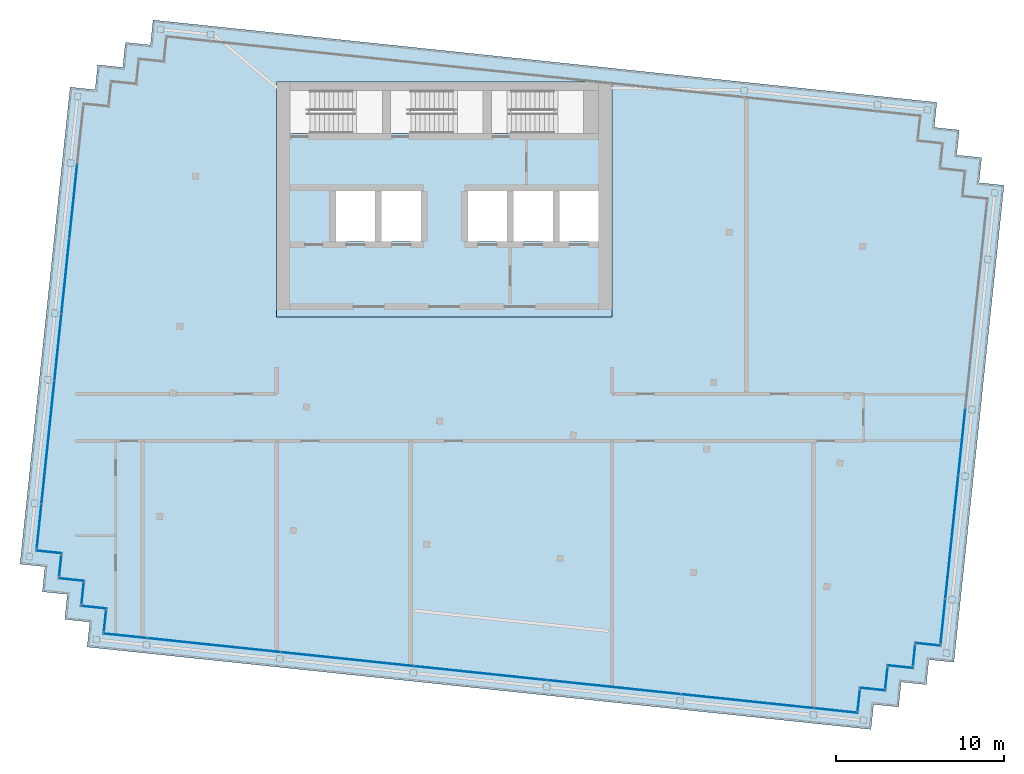
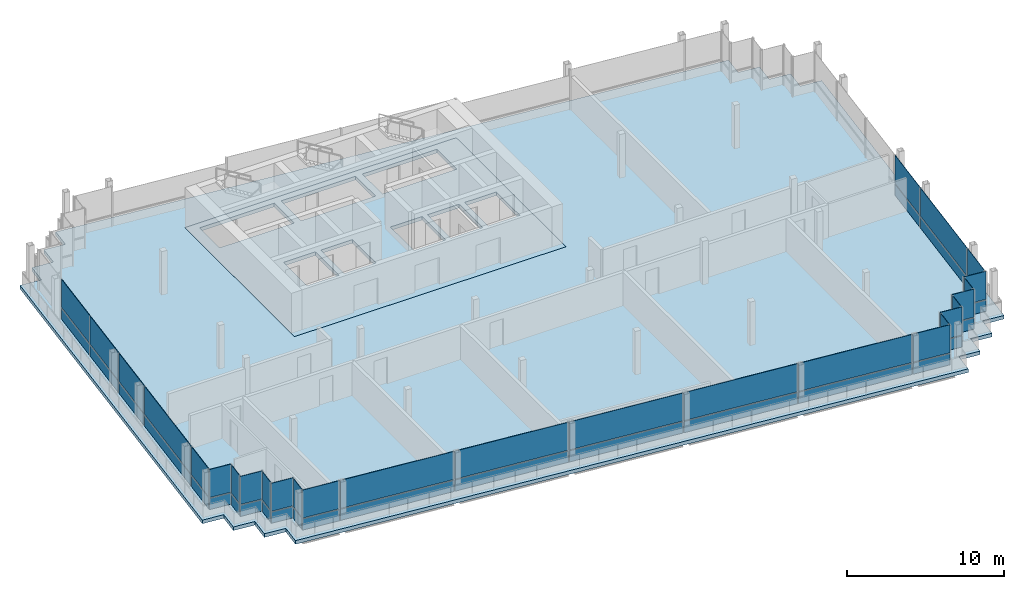
# One storey, part 9 of 15: 54 plates, 2 slabs, 15 elements without a shape of their own.
"""IFC4 building model written with IfcOpenShell, lengths in metres."""

from ifc_helpers import new_model, si_unit, direction, frame, origin, origin_2d, place, context, subcontext, project, spatial, polyline, rectangle, outline, extrude, material, layer, layer_set, type_object, element, aggregate, save


model = new_model("IFC4")

# Units and contexts
model_context = context("Model", 3, precision=1e-05, world=origin(), true_north=direction((0.0, 1.0)))
body_context = subcontext(model_context, "Body", "Model", "MODEL_VIEW")
ifc_project = project(units=[si_unit("LENGTHUNIT", "METRE"), si_unit("AREAUNIT", "SQUARE_METRE"), si_unit("VOLUMEUNIT", "CUBIC_METRE"), si_unit("PLANEANGLEUNIT", "RADIAN"), si_unit("MASSUNIT", "GRAM", prefix="KILO")], contexts=[model_context])

# Site, building, storey
site_placement = place(None, origin())
site = spatial("IfcSite", under=ifc_project, at=site_placement, CompositionType="ELEMENT")
building_placement = place(site_placement, origin())
building = spatial("IfcBuilding", under=site, at=building_placement, Name="Vidyagriha Tower", CompositionType="ELEMENT")
storey_placement = place(building_placement, frame((0.0, 0.0, 294.89990234375)))
storey = spatial("IfcBuildingStorey", under=building, at=storey_placement, Name="L76", CompositionType="ELEMENT", Elevation=294.89990234375)

# Curtain wall, plates
ifc_material_1 = material(Name="Aluminium and glass curtain wall", Category="aluminium")
curtain_wall_type = type_object("IfcCurtainWallType", Name="Lantern glazing wall", PredefinedType="USERDEFINED", material=ifc_material_1)
curtain_wall_1_placement = place(storey_placement, origin())
curtain_wall_1 = element("IfcCurtainWall", 1, at=curtain_wall_1_placement, inside=storey, type_object=curtain_wall_type, Name="CW4 lantern glazing", ObjectType="STICK GLAZING", PredefinedType="USERDEFINED")
ifc_material_2 = material(Name="Glass clear low-iron", Category="glass")
ifc_layer_1 = layer(ifc_material_2, 0.031982421875)
ifc_layer_set_1 = layer_set([ifc_layer_1], Name="Glass clear low-iron")
plate_type = type_object("IfcPlateType", Name="Clear lantern glass panel", PredefinedType="CURTAIN_PANEL", material=ifc_layer_set_1)
plate_1_placement = place(storey_placement, frame((-22.12744140625, 12.894287109375, 0.0), z_axis=(0.0, 0.0, 1.0), x_axis=(-0.104527289697, -0.994522018715, 0.0)))
plate_1 = element("IfcPlate", 2, at=plate_1_placement, type_object=plate_type, Name="CW4 panel 2.1", PredefinedType="CURTAIN_PANEL", context=body_context, shape_type="SweptSolid", body=[
    extrude(rectangle(XDim=4.440185546875, YDim=0.031982421875, at=origin_2d()), origin(), (0.0, 0.0, 1.0), 0.860107421875),
])
plate_2_placement = place(storey_placement, frame((-22.12744140625, 12.894287109375, 0.93994140625), z_axis=(0.0, 0.0, 1.0), x_axis=(-0.104527289697, -0.994522018715, 0.0)))
plate_2 = element("IfcPlate", 3, at=plate_2_placement, type_object=plate_type, Name="CW4 panel 2.2", PredefinedType="CURTAIN_PANEL", context=body_context, shape_type="SweptSolid", body=[
    extrude(rectangle(XDim=4.440185546875, YDim=0.031982421875, at=origin_2d()), origin(), (0.0, 0.0, 1.0), 2.179931640625),
])
plate_3_placement = place(storey_placement, frame((-22.597900390625, 8.4189453125, 0.0), z_axis=(0.0, 0.0, 1.0), x_axis=(-0.104527289697, -0.994522018715, 0.0)))
plate_3 = element("IfcPlate", 4, at=plate_3_placement, type_object=plate_type, Name="CW4 panel 3.1", PredefinedType="CURTAIN_PANEL", context=body_context, shape_type="SweptSolid", body=[
    extrude(rectangle(XDim=4.43994140625, YDim=0.031982421875, at=origin_2d()), origin(), (0.0, 0.0, 1.0), 0.860107421875),
])
plate_4_placement = place(storey_placement, frame((-22.597900390625, 8.4189453125, 0.93994140625), z_axis=(0.0, 0.0, 1.0), x_axis=(-0.104527289697, -0.994522018715, 0.0)))
plate_4 = element("IfcPlate", 5, at=plate_4_placement, type_object=plate_type, Name="CW4 panel 3.2", PredefinedType="CURTAIN_PANEL", context=body_context, shape_type="SweptSolid", body=[
    extrude(rectangle(XDim=4.43994140625, YDim=0.031982421875, at=origin_2d()), origin(), (0.0, 0.0, 1.0), 2.179931640625),
])
plate_5_placement = place(storey_placement, frame((-23.0419921875, 4.192138671875, 0.0), z_axis=(0.0, 0.0, 1.0), x_axis=(-0.104527289697, -0.994522018715, 0.0)))
plate_5 = element("IfcPlate", 6, at=plate_5_placement, type_object=plate_type, Name="CW4 panel 4.1", PredefinedType="CURTAIN_PANEL", context=body_context, shape_type="SweptSolid", body=[
    extrude(rectangle(XDim=3.93994140625, YDim=0.031982421875, at=origin_2d()), origin(), (0.0, 0.0, 1.0), 0.860107421875),
])
plate_6_placement = place(storey_placement, frame((-23.0419921875, 4.192138671875, 0.93994140625), z_axis=(0.0, 0.0, 1.0), x_axis=(-0.104527289697, -0.994522018715, 0.0)))
plate_6 = element("IfcPlate", 7, at=plate_6_placement, type_object=plate_type, Name="CW4 panel 4.2", PredefinedType="CURTAIN_PANEL", context=body_context, shape_type="SweptSolid", body=[
    extrude(rectangle(XDim=3.93994140625, YDim=0.031982421875, at=origin_2d()), origin(), (0.0, 0.0, 1.0), 2.179931640625),
])
plate_7_placement = place(storey_placement, frame((-23.637939453125, -1.4765625, 0.0), z_axis=(0.0, 0.0, 1.0), x_axis=(-0.104527289697, -0.994522018715, 0.0)))
plate_7 = element("IfcPlate", 8, at=plate_7_placement, type_object=plate_type, Name="CW4 panel 5.1", PredefinedType="CURTAIN_PANEL", context=body_context, shape_type="SweptSolid", body=[
    extrude(rectangle(XDim=7.340087890625, YDim=0.031982421875, at=origin_2d()), origin(), (0.0, 0.0, 1.0), 0.860107421875),
])
plate_8_placement = place(storey_placement, frame((-23.637939453125, -1.4765625, 0.93994140625), z_axis=(0.0, 0.0, 1.0), x_axis=(-0.104527289697, -0.994522018715, 0.0)))
plate_8 = element("IfcPlate", 9, at=plate_8_placement, type_object=plate_type, Name="CW4 panel 5.2", PredefinedType="CURTAIN_PANEL", context=body_context, shape_type="SweptSolid", body=[
    extrude(rectangle(XDim=7.340087890625, YDim=0.031982421875, at=origin_2d()), origin(), (0.0, 0.0, 1.0), 2.179931640625),
])
plate_9_placement = place(storey_placement, frame((-24.165283203125, -6.493896484375, 0.0), z_axis=(0.0, 0.0, 1.0), x_axis=(-0.104527289697, -0.994522018715, 0.0)))
plate_9 = element("IfcPlate", 10, at=plate_9_placement, type_object=plate_type, Name="CW4 panel 6.1", PredefinedType="CURTAIN_PANEL", context=body_context, shape_type="SweptSolid", body=[
    extrude(rectangle(XDim=2.6298828125, YDim=0.031982421875, at=origin_2d()), origin(), (0.0, 0.0, 1.0), 0.860107421875),
])
plate_10_placement = place(storey_placement, frame((-24.165283203125, -6.493896484375, 0.93994140625), z_axis=(0.0, 0.0, 1.0), x_axis=(-0.104527289697, -0.994522018715, 0.0)))
plate_10 = element("IfcPlate", 11, at=plate_10_placement, type_object=plate_type, Name="CW4 panel 6.2", PredefinedType="CURTAIN_PANEL", context=body_context, shape_type="SweptSolid", body=[
    extrude(rectangle(XDim=2.6298828125, YDim=0.031982421875, at=origin_2d()), origin(), (0.0, 0.0, 1.0), 2.179931640625),
])
aggregate(curtain_wall_1, [plate_1, plate_2, plate_3, plate_4, plate_5, plate_6, plate_7, plate_8, plate_9, plate_10])

curtain_wall_2_placement = place(storey_placement, origin())
curtain_wall_2 = element("IfcCurtainWall", 12, at=curtain_wall_2_placement, inside=storey, type_object=curtain_wall_type, Name="CW4 lantern glazing", ObjectType="STICK GLAZING", PredefinedType="USERDEFINED")
plate_11_placement = place(storey_placement, frame((-23.5712890625, -8.019287109375, 0.0), z_axis=(0.0, 0.0, 1.0), x_axis=(0.994522933756, -0.104518583201, 0.0)))
plate_11 = element("IfcPlate", 13, at=plate_11_placement, type_object=plate_type, Name="CW4 panel 1.1", PredefinedType="CURTAIN_PANEL", context=body_context, shape_type="SweptSolid", body=[
    extrude(rectangle(XDim=1.5400390625, YDim=0.031982421875, at=origin_2d()), origin(), (0.0, 0.0, 1.0), 0.860107421875),
])
plate_12_placement = place(storey_placement, frame((-23.5712890625, -8.019287109375, 0.93994140625), z_axis=(0.0, 0.0, 1.0), x_axis=(0.994522933756, -0.104518583201, 0.0)))
plate_12 = element("IfcPlate", 14, at=plate_12_placement, type_object=plate_type, Name="CW4 panel 1.2", PredefinedType="CURTAIN_PANEL", context=body_context, shape_type="SweptSolid", body=[
    extrude(rectangle(XDim=1.5400390625, YDim=0.031982421875, at=origin_2d()), origin(), (0.0, 0.0, 1.0), 2.179931640625),
])
aggregate(curtain_wall_2, [plate_11, plate_12])

curtain_wall_3_placement = place(storey_placement, origin())
curtain_wall_3 = element("IfcCurtainWall", 15, at=curtain_wall_3_placement, inside=storey, type_object=curtain_wall_type, Name="CW4 lantern glazing", ObjectType="STICK GLAZING", PredefinedType="USERDEFINED")
plate_13_placement = place(storey_placement, frame((-22.90380859375, -8.843505859375, 0.0), z_axis=(0.0, 0.0, 1.0), x_axis=(-0.104556583677, -0.994518939392, 0.0)))
plate_13 = element("IfcPlate", 16, at=plate_13_placement, type_object=plate_type, Name="CW4 panel 1.1", PredefinedType="CURTAIN_PANEL", context=body_context, shape_type="SweptSolid", body=[
    extrude(rectangle(XDim=1.219970703125, YDim=0.031982421875, at=origin_2d()), origin(), (0.0, 0.0, 1.0), 0.860107421875),
])
plate_14_placement = place(storey_placement, frame((-22.90380859375, -8.843505859375, 0.93994140625), z_axis=(0.0, 0.0, 1.0), x_axis=(-0.104556583677, -0.994518939392, 0.0)))
plate_14 = element("IfcPlate", 17, at=plate_14_placement, type_object=plate_type, Name="CW4 panel 1.2", PredefinedType="CURTAIN_PANEL", context=body_context, shape_type="SweptSolid", body=[
    extrude(rectangle(XDim=1.219970703125, YDim=0.031982421875, at=origin_2d()), origin(), (0.0, 0.0, 1.0), 2.179931640625),
])
aggregate(curtain_wall_3, [plate_13, plate_14])

curtain_wall_4_placement = place(storey_placement, origin())
curtain_wall_4 = element("IfcCurtainWall", 18, at=curtain_wall_4_placement, inside=storey, type_object=curtain_wall_type, Name="CW4 lantern glazing", ObjectType="STICK GLAZING", PredefinedType="USERDEFINED")
plate_15_placement = place(storey_placement, frame((-22.236572265625, -9.667724609375, 0.0), z_axis=(0.0, 0.0, 1.0), x_axis=(0.994529193856, -0.104458999463, 0.0)))
plate_15 = element("IfcPlate", 19, at=plate_15_placement, type_object=plate_type, Name="CW4 panel 1.1", PredefinedType="CURTAIN_PANEL", context=body_context, shape_type="SweptSolid", body=[
    extrude(rectangle(XDim=1.5400390625, YDim=0.031982421875, at=origin_2d()), origin(), (0.0, 0.0, 1.0), 0.860107421875),
])
plate_16_placement = place(storey_placement, frame((-22.236572265625, -9.667724609375, 0.93994140625), z_axis=(0.0, 0.0, 1.0), x_axis=(0.994529193856, -0.104458999463, 0.0)))
plate_16 = element("IfcPlate", 20, at=plate_16_placement, type_object=plate_type, Name="CW4 panel 1.2", PredefinedType="CURTAIN_PANEL", context=body_context, shape_type="SweptSolid", body=[
    extrude(rectangle(XDim=1.5400390625, YDim=0.031982421875, at=origin_2d()), origin(), (0.0, 0.0, 1.0), 2.179931640625),
])
aggregate(curtain_wall_4, [plate_15, plate_16])

curtain_wall_5_placement = place(storey_placement, origin())
curtain_wall_5 = element("IfcCurtainWall", 21, at=curtain_wall_5_placement, inside=storey, type_object=curtain_wall_type, Name="CW4 lantern glazing", ObjectType="STICK GLAZING", PredefinedType="USERDEFINED")
plate_17_placement = place(storey_placement, frame((-21.569091796875, -10.4921875, 0.0), z_axis=(0.0, 0.0, 1.0), x_axis=(-0.104548823962, -0.994519755162, 0.0)))
plate_17 = element("IfcPlate", 22, at=plate_17_placement, type_object=plate_type, Name="CW4 panel 1.1", PredefinedType="CURTAIN_PANEL", context=body_context, shape_type="SweptSolid", body=[
    extrude(rectangle(XDim=1.219970703125, YDim=0.031982421875, at=origin_2d()), origin(), (0.0, 0.0, 1.0), 0.860107421875),
])
plate_18_placement = place(storey_placement, frame((-21.569091796875, -10.4921875, 0.93994140625), z_axis=(0.0, 0.0, 1.0), x_axis=(-0.104548823962, -0.994519755162, 0.0)))
plate_18 = element("IfcPlate", 23, at=plate_18_placement, type_object=plate_type, Name="CW4 panel 1.2", PredefinedType="CURTAIN_PANEL", context=body_context, shape_type="SweptSolid", body=[
    extrude(rectangle(XDim=1.219970703125, YDim=0.031982421875, at=origin_2d()), origin(), (0.0, 0.0, 1.0), 2.179931640625),
])
aggregate(curtain_wall_5, [plate_17, plate_18])

curtain_wall_6_placement = place(storey_placement, origin())
curtain_wall_6 = element("IfcCurtainWall", 24, at=curtain_wall_6_placement, inside=storey, type_object=curtain_wall_type, Name="CW4 lantern glazing", ObjectType="STICK GLAZING", PredefinedType="USERDEFINED")
plate_19_placement = place(storey_placement, frame((-20.901611328125, -11.31640625, 0.0), z_axis=(0.0, 0.0, 1.0), x_axis=(0.994522933756, -0.104518583201, 0.0)))
plate_19 = element("IfcPlate", 25, at=plate_19_placement, type_object=plate_type, Name="CW4 panel 1.1", PredefinedType="CURTAIN_PANEL", context=body_context, shape_type="SweptSolid", body=[
    extrude(rectangle(XDim=1.5400390625, YDim=0.031982421875, at=origin_2d()), origin(), (0.0, 0.0, 1.0), 0.860107421875),
])
plate_20_placement = place(storey_placement, frame((-20.901611328125, -11.31640625, 0.93994140625), z_axis=(0.0, 0.0, 1.0), x_axis=(0.994522933756, -0.104518583201, 0.0)))
plate_20 = element("IfcPlate", 26, at=plate_20_placement, type_object=plate_type, Name="CW4 panel 1.2", PredefinedType="CURTAIN_PANEL", context=body_context, shape_type="SweptSolid", body=[
    extrude(rectangle(XDim=1.5400390625, YDim=0.031982421875, at=origin_2d()), origin(), (0.0, 0.0, 1.0), 2.179931640625),
])
aggregate(curtain_wall_6, [plate_19, plate_20])

curtain_wall_7_placement = place(storey_placement, origin())
curtain_wall_7 = element("IfcCurtainWall", 27, at=curtain_wall_7_placement, inside=storey, type_object=curtain_wall_type, Name="CW4 lantern glazing", ObjectType="STICK GLAZING", PredefinedType="USERDEFINED")
plate_21_placement = place(storey_placement, frame((-20.23388671875, -12.140625, 0.0), z_axis=(0.0, 0.0, 1.0), x_axis=(-0.104556583677, -0.994518939392, 0.0)))
plate_21 = element("IfcPlate", 28, at=plate_21_placement, type_object=plate_type, Name="CW4 panel 1.1", PredefinedType="CURTAIN_PANEL", context=body_context, shape_type="SweptSolid", body=[
    extrude(rectangle(XDim=1.219970703125, YDim=0.031982421875, at=origin_2d()), origin(), (0.0, 0.0, 1.0), 0.860107421875),
])
plate_22_placement = place(storey_placement, frame((-20.23388671875, -12.140625, 0.93994140625), z_axis=(0.0, 0.0, 1.0), x_axis=(-0.104556583677, -0.994518939392, 0.0)))
plate_22 = element("IfcPlate", 29, at=plate_22_placement, type_object=plate_type, Name="CW4 panel 1.2", PredefinedType="CURTAIN_PANEL", context=body_context, shape_type="SweptSolid", body=[
    extrude(rectangle(XDim=1.219970703125, YDim=0.031982421875, at=origin_2d()), origin(), (0.0, 0.0, 1.0), 2.179931640625),
])
aggregate(curtain_wall_7, [plate_21, plate_22])

curtain_wall_8_placement = place(storey_placement, origin())
curtain_wall_8 = element("IfcCurtainWall", 30, at=curtain_wall_8_placement, inside=storey, type_object=curtain_wall_type, Name="CW4 lantern glazing", ObjectType="STICK GLAZING", PredefinedType="USERDEFINED")
plate_23_placement = place(storey_placement, frame((-19.044189453125, -13.019775390625, 0.0), z_axis=(0.0, 0.0, 1.0), x_axis=(0.99452191762, -0.104528251556, 0.0)))
plate_23 = element("IfcPlate", 31, at=plate_23_placement, type_object=plate_type, Name="CW4 panel 1.1", PredefinedType="CURTAIN_PANEL", context=body_context, shape_type="SweptSolid", body=[
    extrude(rectangle(XDim=2.590087890625, YDim=0.031982421875, at=origin_2d()), origin(), (0.0, 0.0, 1.0), 0.860107421875),
])
plate_24_placement = place(storey_placement, frame((-19.044189453125, -13.019775390625, 0.93994140625), z_axis=(0.0, 0.0, 1.0), x_axis=(0.99452191762, -0.104528251556, 0.0)))
plate_24 = element("IfcPlate", 32, at=plate_24_placement, type_object=plate_type, Name="CW4 panel 1.2", PredefinedType="CURTAIN_PANEL", context=body_context, shape_type="SweptSolid", body=[
    extrude(rectangle(XDim=2.590087890625, YDim=0.031982421875, at=origin_2d()), origin(), (0.0, 0.0, 1.0), 2.179931640625),
])
plate_25_placement = place(storey_placement, frame((-13.74853515625, -13.576416015625, 0.0), z_axis=(0.0, 0.0, 1.0), x_axis=(0.99452191762, -0.104528251556, 0.0)))
plate_25 = element("IfcPlate", 33, at=plate_25_placement, type_object=plate_type, Name="CW4 panel 2.1", PredefinedType="CURTAIN_PANEL", context=body_context, shape_type="SweptSolid", body=[
    extrude(rectangle(XDim=7.93994140625, YDim=0.031982421875, at=origin_2d()), origin(), (0.0, 0.0, 1.0), 0.860107421875),
])
plate_26_placement = place(storey_placement, frame((-13.74853515625, -13.576416015625, 0.93994140625), z_axis=(0.0, 0.0, 1.0), x_axis=(0.99452191762, -0.104528251556, 0.0)))
plate_26 = element("IfcPlate", 34, at=plate_26_placement, type_object=plate_type, Name="CW4 panel 2.2", PredefinedType="CURTAIN_PANEL", context=body_context, shape_type="SweptSolid", body=[
    extrude(rectangle(XDim=7.93994140625, YDim=0.031982421875, at=origin_2d()), origin(), (0.0, 0.0, 1.0), 2.179931640625),
])
plate_27_placement = place(storey_placement, frame((-5.792236328125, -14.41259765625, 0.0), z_axis=(0.0, 0.0, 1.0), x_axis=(0.99452191762, -0.104528251556, 0.0)))
plate_27 = element("IfcPlate", 35, at=plate_27_placement, type_object=plate_type, Name="CW4 panel 3.1", PredefinedType="CURTAIN_PANEL", context=body_context, shape_type="SweptSolid", body=[
    extrude(rectangle(XDim=7.93994140625, YDim=0.031982421875, at=origin_2d()), origin(), (0.0, 0.0, 1.0), 0.860107421875),
])
plate_28_placement = place(storey_placement, frame((-5.792236328125, -14.41259765625, 0.93994140625), z_axis=(0.0, 0.0, 1.0), x_axis=(0.99452191762, -0.104528251556, 0.0)))
plate_28 = element("IfcPlate", 36, at=plate_28_placement, type_object=plate_type, Name="CW4 panel 3.2", PredefinedType="CURTAIN_PANEL", context=body_context, shape_type="SweptSolid", body=[
    extrude(rectangle(XDim=7.93994140625, YDim=0.031982421875, at=origin_2d()), origin(), (0.0, 0.0, 1.0), 2.179931640625),
])
plate_29_placement = place(storey_placement, frame((2.163818359375, -15.248779296875, 0.0), z_axis=(0.0, 0.0, 1.0), x_axis=(0.99452191762, -0.104528251556, 0.0)))
plate_29 = element("IfcPlate", 37, at=plate_29_placement, type_object=plate_type, Name="CW4 panel 4.1", PredefinedType="CURTAIN_PANEL", context=body_context, shape_type="SweptSolid", body=[
    extrude(rectangle(XDim=7.93994140625, YDim=0.031982421875, at=origin_2d()), origin(), (0.0, 0.0, 1.0), 0.860107421875),
])
plate_30_placement = place(storey_placement, frame((2.163818359375, -15.248779296875, 0.93994140625), z_axis=(0.0, 0.0, 1.0), x_axis=(0.99452191762, -0.104528251556, 0.0)))
plate_30 = element("IfcPlate", 38, at=plate_30_placement, type_object=plate_type, Name="CW4 panel 4.2", PredefinedType="CURTAIN_PANEL", context=body_context, shape_type="SweptSolid", body=[
    extrude(rectangle(XDim=7.93994140625, YDim=0.031982421875, at=origin_2d()), origin(), (0.0, 0.0, 1.0), 2.179931640625),
])
plate_31_placement = place(storey_placement, frame((10.1201171875, -16.085205078125, 0.0), z_axis=(0.0, 0.0, 1.0), x_axis=(0.99452191762, -0.104528251556, 0.0)))
plate_31 = element("IfcPlate", 39, at=plate_31_placement, type_object=plate_type, Name="CW4 panel 5.1", PredefinedType="CURTAIN_PANEL", context=body_context, shape_type="SweptSolid", body=[
    extrude(rectangle(XDim=7.93994140625, YDim=0.031982421875, at=origin_2d()), origin(), (0.0, 0.0, 1.0), 0.860107421875),
])
plate_32_placement = place(storey_placement, frame((10.1201171875, -16.085205078125, 0.93994140625), z_axis=(0.0, 0.0, 1.0), x_axis=(0.99452191762, -0.104528251556, 0.0)))
plate_32 = element("IfcPlate", 40, at=plate_32_placement, type_object=plate_type, Name="CW4 panel 5.2", PredefinedType="CURTAIN_PANEL", context=body_context, shape_type="SweptSolid", body=[
    extrude(rectangle(XDim=7.93994140625, YDim=0.031982421875, at=origin_2d()), origin(), (0.0, 0.0, 1.0), 2.179931640625),
])
plate_33_placement = place(storey_placement, frame((18.076171875, -16.92138671875, 0.0), z_axis=(0.0, 0.0, 1.0), x_axis=(0.99452191762, -0.104528251556, 0.0)))
plate_33 = element("IfcPlate", 41, at=plate_33_placement, type_object=plate_type, Name="CW4 panel 6.1", PredefinedType="CURTAIN_PANEL", context=body_context, shape_type="SweptSolid", body=[
    extrude(rectangle(XDim=7.93994140625, YDim=0.031982421875, at=origin_2d()), origin(), (0.0, 0.0, 1.0), 0.860107421875),
])
plate_34_placement = place(storey_placement, frame((18.076171875, -16.92138671875, 0.93994140625), z_axis=(0.0, 0.0, 1.0), x_axis=(0.99452191762, -0.104528251556, 0.0)))
plate_34 = element("IfcPlate", 42, at=plate_34_placement, type_object=plate_type, Name="CW4 panel 6.2", PredefinedType="CURTAIN_PANEL", context=body_context, shape_type="SweptSolid", body=[
    extrude(rectangle(XDim=7.93994140625, YDim=0.031982421875, at=origin_2d()), origin(), (0.0, 0.0, 1.0), 2.179931640625),
])
plate_35_placement = place(storey_placement, frame((23.3720703125, -17.47802734375, 0.0), z_axis=(0.0, 0.0, 1.0), x_axis=(0.99452191762, -0.104528251556, 0.0)))
plate_35 = element("IfcPlate", 43, at=plate_35_placement, type_object=plate_type, Name="CW4 panel 7.1", PredefinedType="CURTAIN_PANEL", context=body_context, shape_type="SweptSolid", body=[
    extrude(rectangle(XDim=2.590087890625, YDim=0.031982421875, at=origin_2d()), origin(), (0.0, 0.0, 1.0), 0.860107421875),
])
plate_36_placement = place(storey_placement, frame((23.3720703125, -17.47802734375, 0.93994140625), z_axis=(0.0, 0.0, 1.0), x_axis=(0.99452191762, -0.104528251556, 0.0)))
plate_36 = element("IfcPlate", 44, at=plate_36_placement, type_object=plate_type, Name="CW4 panel 7.2", PredefinedType="CURTAIN_PANEL", context=body_context, shape_type="SweptSolid", body=[
    extrude(rectangle(XDim=2.590087890625, YDim=0.031982421875, at=origin_2d()), origin(), (0.0, 0.0, 1.0), 2.179931640625),
])
aggregate(curtain_wall_8, [plate_23, plate_24, plate_25, plate_26, plate_27, plate_28, plate_29, plate_30, plate_31, plate_32, plate_33, plate_34, plate_35, plate_36])

curtain_wall_9_placement = place(storey_placement, origin())
curtain_wall_9 = element("IfcCurtainWall", 45, at=curtain_wall_9_placement, inside=storey, type_object=curtain_wall_type, Name="CW4 lantern glazing", ObjectType="STICK GLAZING", PredefinedType="USERDEFINED")
plate_37_placement = place(storey_placement, frame((24.718505859375, -16.865478515625, 0.0), z_axis=(0.0, 0.0, 1.0), x_axis=(0.104556583677, 0.994518939392, 0.0)))
plate_37 = element("IfcPlate", 46, at=plate_37_placement, type_object=plate_type, Name="CW4 panel 1.1", PredefinedType="CURTAIN_PANEL", context=body_context, shape_type="SweptSolid", body=[
    extrude(rectangle(XDim=1.219970703125, YDim=0.031982421875, at=origin_2d()), origin(), (0.0, 0.0, 1.0), 0.860107421875),
])
plate_38_placement = place(storey_placement, frame((24.718505859375, -16.865478515625, 0.93994140625), z_axis=(0.0, 0.0, 1.0), x_axis=(0.104556583677, 0.994518939392, 0.0)))
plate_38 = element("IfcPlate", 47, at=plate_38_placement, type_object=plate_type, Name="CW4 panel 1.2", PredefinedType="CURTAIN_PANEL", context=body_context, shape_type="SweptSolid", body=[
    extrude(rectangle(XDim=1.219970703125, YDim=0.031982421875, at=origin_2d()), origin(), (0.0, 0.0, 1.0), 2.179931640625),
])
aggregate(curtain_wall_9, [plate_37, plate_38])

curtain_wall_10_placement = place(storey_placement, origin())
curtain_wall_10 = element("IfcCurtainWall", 48, at=curtain_wall_10_placement, inside=storey, type_object=curtain_wall_type, Name="CW4 lantern glazing", ObjectType="STICK GLAZING", PredefinedType="USERDEFINED")
plate_39_placement = place(storey_placement, frame((25.542724609375, -16.197998046875, 0.0), z_axis=(0.0, 0.0, 1.0), x_axis=(0.994522933756, -0.104518583201, 0.0)))
plate_39 = element("IfcPlate", 49, at=plate_39_placement, type_object=plate_type, Name="CW4 panel 1.1", PredefinedType="CURTAIN_PANEL", context=body_context, shape_type="SweptSolid", body=[
    extrude(rectangle(XDim=1.5400390625, YDim=0.031982421875, at=origin_2d()), origin(), (0.0, 0.0, 1.0), 0.860107421875),
])
plate_40_placement = place(storey_placement, frame((25.542724609375, -16.197998046875, 0.93994140625), z_axis=(0.0, 0.0, 1.0), x_axis=(0.994522933756, -0.104518583201, 0.0)))
plate_40 = element("IfcPlate", 50, at=plate_40_placement, type_object=plate_type, Name="CW4 panel 1.2", PredefinedType="CURTAIN_PANEL", context=body_context, shape_type="SweptSolid", body=[
    extrude(rectangle(XDim=1.5400390625, YDim=0.031982421875, at=origin_2d()), origin(), (0.0, 0.0, 1.0), 2.179931640625),
])
aggregate(curtain_wall_10, [plate_39, plate_40])

curtain_wall_11_placement = place(storey_placement, origin())
curtain_wall_11 = element("IfcCurtainWall", 51, at=curtain_wall_11_placement, inside=storey, type_object=curtain_wall_type, Name="CW4 lantern glazing", ObjectType="STICK GLAZING", PredefinedType="USERDEFINED")
plate_41_placement = place(storey_placement, frame((26.366943359375, -15.530517578125, 0.0), z_axis=(0.0, 0.0, 1.0), x_axis=(0.104548823962, 0.994519755162, 0.0)))
plate_41 = element("IfcPlate", 52, at=plate_41_placement, type_object=plate_type, Name="CW4 panel 1.1", PredefinedType="CURTAIN_PANEL", context=body_context, shape_type="SweptSolid", body=[
    extrude(rectangle(XDim=1.219970703125, YDim=0.031982421875, at=origin_2d()), origin(), (0.0, 0.0, 1.0), 0.860107421875),
])
plate_42_placement = place(storey_placement, frame((26.366943359375, -15.530517578125, 0.93994140625), z_axis=(0.0, 0.0, 1.0), x_axis=(0.104548823962, 0.994519755162, 0.0)))
plate_42 = element("IfcPlate", 53, at=plate_42_placement, type_object=plate_type, Name="CW4 panel 1.2", PredefinedType="CURTAIN_PANEL", context=body_context, shape_type="SweptSolid", body=[
    extrude(rectangle(XDim=1.219970703125, YDim=0.031982421875, at=origin_2d()), origin(), (0.0, 0.0, 1.0), 2.179931640625),
])
aggregate(curtain_wall_11, [plate_41, plate_42])

curtain_wall_12_placement = place(storey_placement, origin())
curtain_wall_12 = element("IfcCurtainWall", 54, at=curtain_wall_12_placement, inside=storey, type_object=curtain_wall_type, Name="CW4 lantern glazing", ObjectType="STICK GLAZING", PredefinedType="USERDEFINED")
plate_43_placement = place(storey_placement, frame((27.19140625, -14.86279296875, 0.0), z_axis=(0.0, 0.0, 1.0), x_axis=(0.994522933756, -0.104518583201, 0.0)))
plate_43 = element("IfcPlate", 55, at=plate_43_placement, type_object=plate_type, Name="CW4 panel 1.1", PredefinedType="CURTAIN_PANEL", context=body_context, shape_type="SweptSolid", body=[
    extrude(rectangle(XDim=1.5400390625, YDim=0.031982421875, at=origin_2d()), origin(), (0.0, 0.0, 1.0), 0.860107421875),
])
plate_44_placement = place(storey_placement, frame((27.19140625, -14.86279296875, 0.93994140625), z_axis=(0.0, 0.0, 1.0), x_axis=(0.994522933756, -0.104518583201, 0.0)))
plate_44 = element("IfcPlate", 56, at=plate_44_placement, type_object=plate_type, Name="CW4 panel 1.2", PredefinedType="CURTAIN_PANEL", context=body_context, shape_type="SweptSolid", body=[
    extrude(rectangle(XDim=1.5400390625, YDim=0.031982421875, at=origin_2d()), origin(), (0.0, 0.0, 1.0), 2.179931640625),
])
aggregate(curtain_wall_12, [plate_43, plate_44])

curtain_wall_13_placement = place(storey_placement, origin())
curtain_wall_13 = element("IfcCurtainWall", 57, at=curtain_wall_13_placement, inside=storey, type_object=curtain_wall_type, Name="CW4 lantern glazing", ObjectType="STICK GLAZING", PredefinedType="USERDEFINED")
plate_45_placement = place(storey_placement, frame((28.015625, -14.1953125, 0.0), z_axis=(0.0, 0.0, 1.0), x_axis=(0.104548823962, 0.994519755162, 0.0)))
plate_45 = element("IfcPlate", 58, at=plate_45_placement, type_object=plate_type, Name="CW4 panel 1.1", PredefinedType="CURTAIN_PANEL", context=body_context, shape_type="SweptSolid", body=[
    extrude(rectangle(XDim=1.219970703125, YDim=0.031982421875, at=origin_2d()), origin(), (0.0, 0.0, 1.0), 0.860107421875),
])
plate_46_placement = place(storey_placement, frame((28.015625, -14.1953125, 0.93994140625), z_axis=(0.0, 0.0, 1.0), x_axis=(0.104548823962, 0.994519755162, 0.0)))
plate_46 = element("IfcPlate", 59, at=plate_46_placement, type_object=plate_type, Name="CW4 panel 1.2", PredefinedType="CURTAIN_PANEL", context=body_context, shape_type="SweptSolid", body=[
    extrude(rectangle(XDim=1.219970703125, YDim=0.031982421875, at=origin_2d()), origin(), (0.0, 0.0, 1.0), 2.179931640625),
])
aggregate(curtain_wall_13, [plate_45, plate_46])

curtain_wall_14_placement = place(storey_placement, origin())
curtain_wall_14 = element("IfcCurtainWall", 60, at=curtain_wall_14_placement, inside=storey, type_object=curtain_wall_type, Name="CW4 lantern glazing", ObjectType="STICK GLAZING", PredefinedType="USERDEFINED")
plate_47_placement = place(storey_placement, frame((28.83984375, -13.528076171875, 0.0), z_axis=(0.0, 0.0, 1.0), x_axis=(0.994523591781, -0.104512321721, 0.0)))
plate_47 = element("IfcPlate", 61, at=plate_47_placement, type_object=plate_type, Name="CW4 panel 1.1", PredefinedType="CURTAIN_PANEL", context=body_context, shape_type="SweptSolid", body=[
    extrude(rectangle(XDim=1.5400390625, YDim=0.031982421875, at=origin_2d()), origin(), (0.0, 0.0, 1.0), 0.860107421875),
])
plate_48_placement = place(storey_placement, frame((28.83984375, -13.528076171875, 0.93994140625), z_axis=(0.0, 0.0, 1.0), x_axis=(0.994523591781, -0.104512321721, 0.0)))
plate_48 = element("IfcPlate", 62, at=plate_48_placement, type_object=plate_type, Name="CW4 panel 1.2", PredefinedType="CURTAIN_PANEL", context=body_context, shape_type="SweptSolid", body=[
    extrude(rectangle(XDim=1.5400390625, YDim=0.031982421875, at=origin_2d()), origin(), (0.0, 0.0, 1.0), 2.179931640625),
])
aggregate(curtain_wall_14, [plate_47, plate_48])

curtain_wall_15_placement = place(storey_placement, origin())
curtain_wall_15 = element("IfcCurtainWall", 63, at=curtain_wall_15_placement, inside=storey, type_object=curtain_wall_type, Name="CW4 lantern glazing", ObjectType="STICK GLAZING", PredefinedType="USERDEFINED")
plate_49_placement = place(storey_placement, frame((29.73779296875, -12.1591796875, 0.0), z_axis=(0.0, 0.0, 1.0), x_axis=(0.104526899479, 0.994522059728, 0.0)))
plate_49 = element("IfcPlate", 64, at=plate_49_placement, type_object=plate_type, Name="CW4 panel 1.1", PredefinedType="CURTAIN_PANEL", context=body_context, shape_type="SweptSolid", body=[
    extrude(rectangle(XDim=2.6298828125, YDim=0.031982421875, at=origin_2d()), origin(), (0.0, 0.0, 1.0), 0.860107421875),
])
plate_50_placement = place(storey_placement, frame((29.73779296875, -12.1591796875, 0.93994140625), z_axis=(0.0, 0.0, 1.0), x_axis=(0.104526899479, 0.994522059728, 0.0)))
plate_50 = element("IfcPlate", 65, at=plate_50_placement, type_object=plate_type, Name="CW4 panel 1.2", PredefinedType="CURTAIN_PANEL", context=body_context, shape_type="SweptSolid", body=[
    extrude(rectangle(XDim=2.6298828125, YDim=0.031982421875, at=origin_2d()), origin(), (0.0, 0.0, 1.0), 2.179931640625),
])
plate_51_placement = place(storey_placement, frame((30.26513671875, -7.14208984375, 0.0), z_axis=(0.0, 0.0, 1.0), x_axis=(0.104526899479, 0.994522059728, 0.0)))
plate_51 = element("IfcPlate", 66, at=plate_51_placement, type_object=plate_type, Name="CW4 panel 2.1", PredefinedType="CURTAIN_PANEL", context=body_context, shape_type="SweptSolid", body=[
    extrude(rectangle(XDim=7.340087890625, YDim=0.031982421875, at=origin_2d()), origin(), (0.0, 0.0, 1.0), 0.860107421875),
])
plate_52_placement = place(storey_placement, frame((30.26513671875, -7.14208984375, 0.93994140625), z_axis=(0.0, 0.0, 1.0), x_axis=(0.104526899479, 0.994522059728, 0.0)))
plate_52 = element("IfcPlate", 67, at=plate_52_placement, type_object=plate_type, Name="CW4 panel 2.2", PredefinedType="CURTAIN_PANEL", context=body_context, shape_type="SweptSolid", body=[
    extrude(rectangle(XDim=7.340087890625, YDim=0.031982421875, at=origin_2d()), origin(), (0.0, 0.0, 1.0), 2.179931640625),
])
plate_53_placement = place(storey_placement, frame((30.861083984375, -1.47314453125, 0.0), z_axis=(0.0, 0.0, 1.0), x_axis=(0.104526899479, 0.994522059728, 0.0)))
plate_53 = element("IfcPlate", 68, at=plate_53_placement, type_object=plate_type, Name="CW4 panel 3.1", PredefinedType="CURTAIN_PANEL", context=body_context, shape_type="SweptSolid", body=[
    extrude(rectangle(XDim=3.93994140625, YDim=0.031982421875, at=origin_2d()), origin(), (0.0, 0.0, 1.0), 0.860107421875),
])
plate_54_placement = place(storey_placement, frame((30.861083984375, -1.47314453125, 0.93994140625), z_axis=(0.0, 0.0, 1.0), x_axis=(0.104526899479, 0.994522059728, 0.0)))
plate_54 = element("IfcPlate", 69, at=plate_54_placement, type_object=plate_type, Name="CW4 panel 3.2", PredefinedType="CURTAIN_PANEL", context=body_context, shape_type="SweptSolid", body=[
    extrude(rectangle(XDim=3.93994140625, YDim=0.031982421875, at=origin_2d()), origin(), (0.0, 0.0, 1.0), 2.179931640625),
])
aggregate(curtain_wall_15, [plate_49, plate_50, plate_51, plate_52, plate_53, plate_54])

# Slabs
ifc_material_3 = material(Name="Concrete C60/75", Category="concrete")
ifc_layer_2 = layer(ifc_material_3, 0.280029296875)
ifc_layer_set_2 = layer_set([ifc_layer_2], Name="Concrete C60/75")
slab_type_1 = type_object("IfcSlabType", Name="Core floor slab 280 mm", PredefinedType="FLOOR", material=ifc_layer_set_2)
slab_1_placement = place(storey_placement, frame((0.0, 0.0, -0.27978515625)))
element("IfcSlab", 70, at=slab_1_placement, inside=storey, type_object=slab_type_1, Name="L76 core floor 1", PredefinedType="FLOOR", context=body_context, shape_type="SweptSolid", body=[
    extrude(outline(polyline([(-10.0, 6.0), (-10.0, 20.0), (10.0, 20.0), (10.0, 6.0), (-10.0, 6.0)]), holes=[polyline([(6.86669921875, 13.5), (6.86669921875, 10.5), (9.199951171875, 10.5), (9.199951171875, 13.5), (6.86669921875, 13.5)]), polyline([(4.0, 19.5), (2.800048828125, 19.5), (2.800048828125, 16.949951171875), (4.0, 16.949951171875), (8.300048828125, 16.949951171875), (8.300048828125, 19.5), (4.0, 19.5)]), polyline([(6.466796875, 13.5), (4.13330078125, 13.5), (4.13330078125, 10.5), (6.466796875, 10.5), (6.466796875, 13.5)]), polyline([(3.7333984375, 13.5), (1.39990234375, 13.5), (1.39990234375, 10.5), (3.7333984375, 10.5), (3.7333984375, 13.5)]), polyline([(-2.0, 16.949951171875), (2.300048828125, 16.949951171875), (2.300048828125, 19.5), (-2.0, 19.5), (-3.199951171875, 19.5), (-3.199951171875, 16.949951171875), (-2.0, 16.949951171875)]), polyline([(-3.7333984375, 13.5), (-3.7333984375, 10.5), (-1.39990234375, 10.5), (-1.39990234375, 13.5), (-3.7333984375, 13.5)]), polyline([(-9.199951171875, 19.5), (-9.199951171875, 16.949951171875), (-8.0, 16.949951171875), (-3.699951171875, 16.949951171875), (-3.699951171875, 19.5), (-8.0, 19.5), (-9.199951171875, 19.5)]), polyline([(-6.466796875, 13.5), (-6.466796875, 10.5), (-4.13330078125, 10.5), (-4.13330078125, 13.5), (-6.466796875, 13.5)])]), origin(), (0.0, 0.0, 1.0), 0.27978515625),
])
ifc_material_4 = material(Name="Concrete C50/60", Category="concrete")
ifc_layer_3 = layer(ifc_material_4, 0.280029296875)
ifc_layer_set_3 = layer_set([ifc_layer_3], Name="Concrete C50/60")
slab_type_2 = type_object("IfcSlabType", Name="Post-tensioned flat plate 280", PredefinedType="FLOOR", material=ifc_layer_set_3)
slab_2_placement = place(storey_placement, frame((0.0, 0.0, -0.27978515625)))
element("IfcSlab", 71, at=slab_2_placement, inside=storey, type_object=slab_type_2, Name="st-slab-L76-1", PredefinedType="FLOOR", context=body_context, shape_type="SweptSolid", body=[
    extrude(outline(polyline([(28.89501953125, -14.438720703125), (28.738037109375, -15.930419921875), (27.246337890625, -15.773681640625), (27.089599609375, -17.265380859375), (25.597900390625, -17.108642578125), (25.44091796875, -18.600341796875), (-21.301513671875, -13.6875), (-21.144775390625, -12.19580078125), (-22.636474609375, -12.0390625), (-22.479736328125, -10.547119140625), (-23.971435546875, -10.390380859375), (-23.814697265625, -8.898681640625), (-25.306396484375, -8.741943359375), (-22.31689453125, 19.701416015625), (-20.8251953125, 19.544677734375), (-20.66845703125, 21.036376953125), (-19.176513671875, 20.879638671875), (-19.019775390625, 22.371337890625), (-17.528076171875, 22.214599609375), (-17.371337890625, 23.706298828125), (29.371337890625, 18.793701171875), (29.214599609375, 17.3017578125), (30.706298828125, 17.14501953125), (30.549560546875, 15.6533203125), (32.041259765625, 15.496337890625), (31.884521484375, 14.004638671875), (33.376220703125, 13.847900390625), (30.38671875, -14.595458984375), (28.89501953125, -14.438720703125)]), holes=[polyline([(10.0, 20.0), (-10.0, 20.0), (-10.0, 6.0), (10.0, 6.0), (10.0, 20.0)])]), origin(), (0.0, 0.0, 1.0), 0.27978515625),
])

save(model, "model.ifc")
